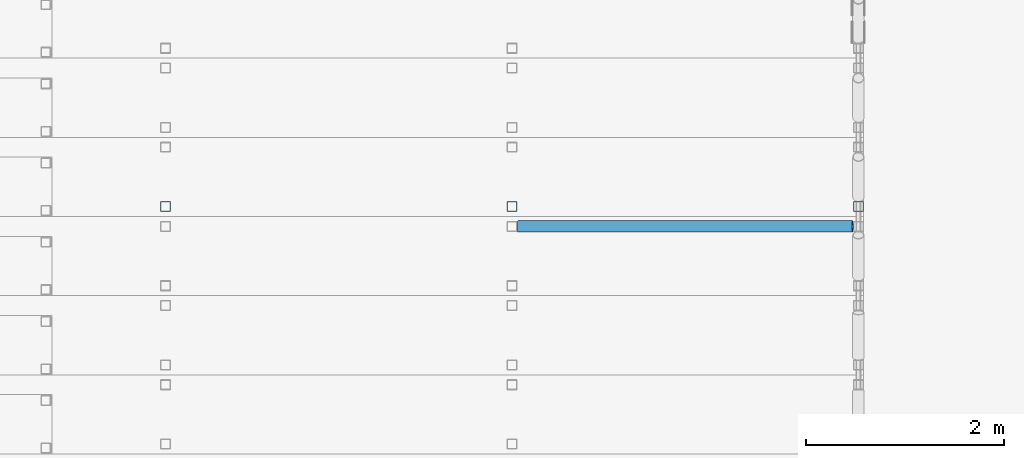
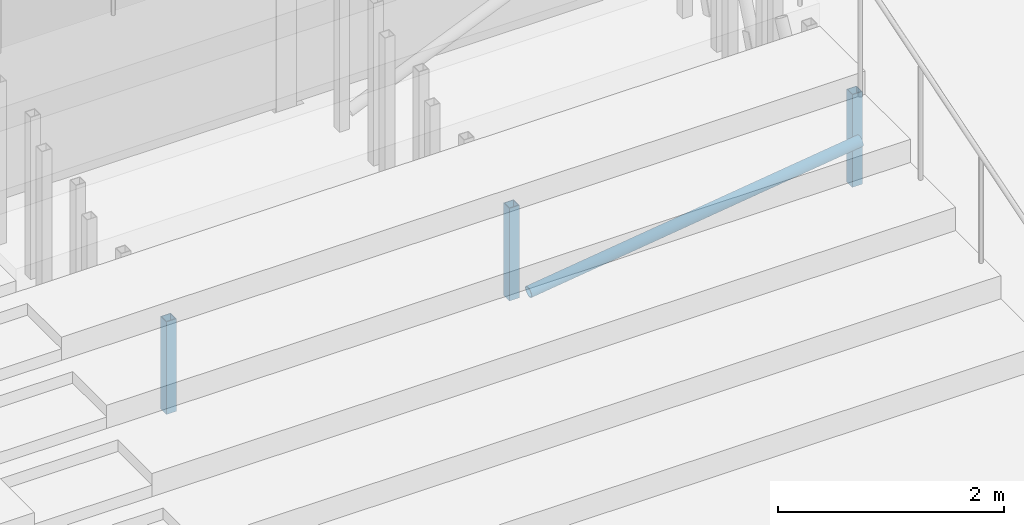
# One storey, part 31 of 139: 4 members.
"""IFC4 building model written with IfcOpenShell, lengths in metres."""

import ifcopenshell
import ifcopenshell.guid

model = None  # the IFC model being written
_history = None  # IfcOwnerHistory: only IFC2X3 demands one
_inside = {}  # id of a spatial element -> (the spatial element, [elements in it])
_under = {}  # id of a project, library or spatial element -> (it, [spatial elements below it])
_declared = {}  # id of a project -> (the project, [libraries it declares])
_typed = {}  # id of a type object -> (the type object, [elements of that type])
_made_of = {}  # id of a material, layer set ... -> (it, [elements and type objects made of it])


def new_model(schema):
    """Start an empty IFC model of exactly this schema.

    Asked for "IFC4X3", IfcOpenShell would pick the latest addendum, in which some entities
    have other attributes; the version numbers below select the first issue.
    IFC2X3 requires an IfcOwnerHistory on every rooted entity: one is made here for all.
    """
    global model, _history
    if schema == "IFC4X3":
        model = ifcopenshell.file(schema_version=(4, 3, 0, 0))
    else:
        model = ifcopenshell.file(schema=schema)
    _inside.clear()
    _under.clear()
    _declared.clear()
    _typed.clear()
    _made_of.clear()
    _history = None
    if model.schema == "IFC2X3":
        org = make("IfcOrganization", Name="unknown")
        user = make(
            "IfcPersonAndOrganization",
            ThePerson=make("IfcPerson", FamilyName="unknown"),
            TheOrganization=org,
        )
        app = make(
            "IfcApplication",
            ApplicationDeveloper=org,
            Version="unknown",
            ApplicationFullName="unknown",
            ApplicationIdentifier="unknown",
        )
        _history = make(
            "IfcOwnerHistory",
            OwningUser=user,
            OwningApplication=app,
            ChangeAction="ADDED",
            CreationDate=0,
        )
    return model


def make(cls, **values):
    """One entity of the class cls with the attributes given. An attribute that is None is left unset."""
    return model.create_entity(
        cls, **{name: value for name, value in values.items() if value is not None}
    )


def rooted(cls, **values):
    """An entity with a GlobalId (a new one), such as an element, a storey or a relation."""
    return make(cls, GlobalId=ifcopenshell.guid.new(), OwnerHistory=_history, **values)


def si_unit(unit_type, name, prefix=None):
    """IfcSIUnit, for example si_unit("LENGTHUNIT", "METRE", prefix="MILLI")."""
    return make("IfcSIUnit", UnitType=unit_type, Prefix=prefix, Name=name)


def assignment(units):
    """IfcUnitAssignment: the units of a project."""
    return None if units is None else make("IfcUnitAssignment", Units=units)


def point(xyz):
    """IfcCartesianPoint."""
    return None if xyz is None else make("IfcCartesianPoint", Coordinates=xyz)


def direction(xyz):
    """IfcDirection."""
    return None if xyz is None else make("IfcDirection", DirectionRatios=xyz)


def frame(location, z_axis=None, x_axis=None):
    """IfcAxis2Placement3D, a coordinate frame: its origin and axes. An axis left out is left unset."""
    return make(
        "IfcAxis2Placement3D",
        Location=point(location),
        Axis=direction(z_axis),
        RefDirection=direction(x_axis),
    )


def frame_2d(location, x_axis=None):
    """IfcAxis2Placement2D, a coordinate frame in the plane: its origin and x axis."""
    return make(
        "IfcAxis2Placement2D", Location=point(location), RefDirection=direction(x_axis)
    )


def origin():
    """The frame at (0, 0, 0) with its axes left unset."""
    return frame((0.0, 0.0, 0.0))


def origin_2d():
    """The frame at (0, 0) in the plane with its x axis left unset."""
    return frame_2d((0.0, 0.0))


def place(relative_to, where):
    """IfcLocalPlacement: puts the frame where relative to a parent placement (None: the world)."""
    return make(
        "IfcLocalPlacement", PlacementRelTo=relative_to, RelativePlacement=where
    )


def context(
    kind, dimensions, precision=None, world=None, true_north=None, identifier=None
):
    """IfcGeometricRepresentationContext, for example the 3D "Model" context."""
    return make(
        "IfcGeometricRepresentationContext",
        ContextIdentifier=identifier,
        ContextType=kind,
        CoordinateSpaceDimension=dimensions,
        Precision=precision,
        WorldCoordinateSystem=world,
        TrueNorth=true_north,
    )


def subcontext(parent, identifier, kind, view, scale=None):
    """IfcGeometricRepresentationSubContext, for example "Body" below "Model"."""
    return make(
        "IfcGeometricRepresentationSubContext",
        ContextIdentifier=identifier,
        ContextType=kind,
        ParentContext=parent,
        TargetScale=scale,
        TargetView=view,
    )


def project(units=None, contexts=None):
    """IfcProject with its units and contexts."""
    return rooted(
        "IfcProject",
        Name="project",
        RepresentationContexts=contexts,
        UnitsInContext=assignment(units),
    )


def spatial(cls, under=None, at=None, **own):
    """A site, building, storey or space (cls), placed at a placement, below another one or the project."""
    s = rooted(cls, ObjectPlacement=at, **own)
    if under is not None:
        _under.setdefault(under.id(), (under, []))[1].append(s)
    return s


def profile(cls, at=None, kind="AREA", **sizes):
    """A parametric profile (cls). Its sizes go by their IFC names, for example OverallWidth=200.0."""
    return make(cls, ProfileType=kind, Position=at, **sizes)


def hollow_rectangle(**sizes):
    """IfcRectangleHollowProfileDef."""
    return profile("IfcRectangleHollowProfileDef", **sizes)


def hollow_circle(**sizes):
    """IfcCircleHollowProfileDef."""
    return profile("IfcCircleHollowProfileDef", **sizes)


def extrude(swept, where, along, depth):
    """IfcExtrudedAreaSolid: the profile swept, set in the frame where, extruded along a direction by depth."""
    return make(
        "IfcExtrudedAreaSolid",
        SweptArea=swept,
        Position=where,
        ExtrudedDirection=direction(along),
        Depth=depth,
    )


def shape(context_of_items, identifier, shape_type, items):
    """IfcShapeRepresentation: the items that make up one representation, for example the "Body"."""
    return make(
        "IfcShapeRepresentation",
        ContextOfItems=context_of_items,
        RepresentationIdentifier=identifier,
        RepresentationType=shape_type,
        Items=items,
    )


def material(Name=None, Category=None):
    """IfcMaterial."""
    return make("IfcMaterial", Name=Name, Category=Category)


def material_profile(
    of_material, cross_section, Name=None, Category=None, Priority=None
):
    """IfcMaterialProfile: a cross section and its material."""
    return make(
        "IfcMaterialProfile",
        Name=Name,
        Material=of_material,
        Profile=cross_section,
        Priority=Priority,
        Category=Category,
    )


def profile_set(profiles, Name=None, composite=None):
    """IfcMaterialProfileSet."""
    return make(
        "IfcMaterialProfileSet",
        Name=Name,
        MaterialProfiles=profiles,
        CompositeProfile=composite,
    )


def made_of(thing, what):
    """Note that an element or type object is made of a material, layer set ...; save() writes the relation."""
    if what is not None:
        _made_of.setdefault(what.id(), (what, []))[1].append(thing)
    return thing


def type_object(cls, material=None, **own):
    """A type object (cls), such as IfcWallType, which elements share."""
    return made_of(rooted(cls, **own), material)


def element(
    cls,
    number,
    at=None,
    inside=None,
    cuts=None,
    type_object=None,
    material=None,
    context=None,
    identifier="Body",
    shape_type=None,
    held_by="IfcProductDefinitionShape",
    body=None,
    shapes=None,
    **own,
):
    """One element of the class cls, such as IfcWall. Its Tag is "e" and its number.

    at: its placement. inside: the storey or other place that contains it. cuts: it is an
    opening in that element (IfcRelVoidsElement). A single representation is given by context,
    identifier, shape_type and body (its items); several are given by shapes. held_by: the class
    of the entity that holds the representations. save() writes the other relations.
    """
    e = rooted(cls, Tag="e%d" % number, ObjectPlacement=at, **own)
    if body is not None:
        shapes = [shape(context, identifier, shape_type, body)]
    if shapes is not None:
        e.Representation = make(held_by, Representations=shapes)
    if inside is not None:
        _inside.setdefault(inside.id(), (inside, []))[1].append(e)
    if cuts is not None:
        rooted(
            "IfcRelVoidsElement", RelatingBuildingElement=cuts, RelatedOpeningElement=e
        )
    if type_object is not None:
        _typed.setdefault(type_object.id(), (type_object, []))[1].append(e)
    return made_of(e, material)


def aggregate(whole, parts):
    """IfcRelAggregates: a whole, such as a stair, and the parts it consists of."""
    return rooted("IfcRelAggregates", RelatingObject=whole, RelatedObjects=parts)


def save(model, path):
    """Write the relations noted so far, then the file.

    IfcRelAggregates (storeys below a building ...), IfcRelContainedInSpatialStructure (elements
    in a storey), IfcRelDefinesByType, IfcRelAssociatesMaterial and IfcRelDeclares: one each for
    every whole, place, type object, material and project.
    """
    for whole, parts in _under.values():
        aggregate(whole, parts)
    for where, things in _inside.values():
        rooted(
            "IfcRelContainedInSpatialStructure",
            RelatedElements=things,
            RelatingStructure=where,
        )
    for kind, things in _typed.values():
        rooted("IfcRelDefinesByType", RelatedObjects=things, RelatingType=kind)
    for what, things in _made_of.values():
        rooted("IfcRelAssociatesMaterial", RelatedObjects=things, RelatingMaterial=what)
    for by, libraries in _declared.values():
        rooted("IfcRelDeclares", RelatingContext=by, RelatedDefinitions=libraries)
    model.write(path)


model = new_model("IFC4")

# Units and contexts
model_context = context("Model", 3, precision=1e-05, world=origin(), true_north=direction((0.0, 1.0)))
body_context = subcontext(model_context, "Body", "Model", "MODEL_VIEW")
ifc_project = project(units=[si_unit("LENGTHUNIT", "METRE"), si_unit("AREAUNIT", "SQUARE_METRE"), si_unit("VOLUMEUNIT", "CUBIC_METRE"), si_unit("PLANEANGLEUNIT", "RADIAN"), si_unit("MASSUNIT", "GRAM", prefix="KILO")], contexts=[model_context])

# Site, building, storey
site_placement = place(None, origin())
site = spatial("IfcSite", under=ifc_project, at=site_placement, CompositionType="ELEMENT")
building_placement = place(site_placement, origin())
building = spatial("IfcBuilding", under=site, at=building_placement, Name="Verrick Yard Athletic Hall", CompositionType="ELEMENT")
storey_placement = place(building_placement, origin())
storey = spatial("IfcBuildingStorey", under=building, at=storey_placement, Name="L00", CompositionType="ELEMENT", Elevation=0.0)

# Members
ifc_material = material(Name="Structural steel HSS Class C 350W (CSA G40.20/G40.21)", Category="steel")
ifc_material_profile_1 = material_profile(ifc_material, hollow_circle(Radius=0.05712890625, WallThickness=0.00634765625, at=origin_2d()), Name="HSS114x6.4")
ifc_profile_set_1 = profile_set([ifc_material_profile_1], Name="Structural steel HSS Class C 350W (CSA G40.20/G40.21)")
member_type_1 = type_object("IfcMemberType", Name="HB roof brace HSS114x6.4", PredefinedType="BRACE", material=ifc_profile_set_1)
member_placement = place(storey_placement, frame((64.3076171875, 96.89990234375, 0.15087890625), z_axis=(0.991337515956, 0.0, 0.131338986816), x_axis=(0.0, 1.0, 0.0)))
element("IfcMember", 1, at=member_placement, inside=storey, type_object=member_type_1, Name="HB-BRL-RSB1-z4", PredefinedType="BRACE", context=body_context, shape_type="SweptSolid", body=[
    extrude(hollow_circle(Radius=0.05712890625, WallThickness=0.00634765625, at=origin_2d()), origin(), (0.0, 0.0, 1.0), 3.412841796875),
])
ifc_material_profile_2 = material_profile(ifc_material, hollow_rectangle(XDim=0.1015625, YDim=0.1015625, WallThickness=0.00634765625, at=origin_2d()), Name="HSS102x102x6.4")
ifc_profile_set_2 = profile_set([ifc_material_profile_2], Name="Structural steel HSS Class C 350W (CSA G40.20/G40.21)")
member_type_2 = type_object("IfcMemberType", Name="HB seating post HSS102x102x6.4", PredefinedType="POST", material=ifc_profile_set_2)
for number, where, z_axis, x_axis, name in (
    (2, (60.74951171875, 97.10009765625, 0.0), (0.0, 0.0, 1.0), (0.0, 1.0, 0.0), "HB-SP-RSB1-T5f8"),
    (3, (64.249267578125, 97.10009765625, 0.0), (0.0, 0.0, 1.0), (0.0, 1.0, 0.0), "HB-SP-RSB1-T5f9"),
    (4, (67.749267578125, 97.10009765625, 0.0), (0.0, 0.0, 1.0), (0.0, 1.0, 0.0), "HB-SP-RSB1-T5f10"),
):
    element("IfcMember", number, at=place(storey_placement, frame(where, z_axis=z_axis, x_axis=x_axis)), inside=storey, type_object=member_type_2, Name=name, PredefinedType="POST", context=body_context, shape_type="SweptSolid", body=[
        extrude(hollow_rectangle(XDim=0.1015625, YDim=0.1015625, WallThickness=0.00634765625, at=origin_2d()), origin(), (0.0, 0.0, 1.0), 1.0),
    ])

save(model, "model.ifc")
